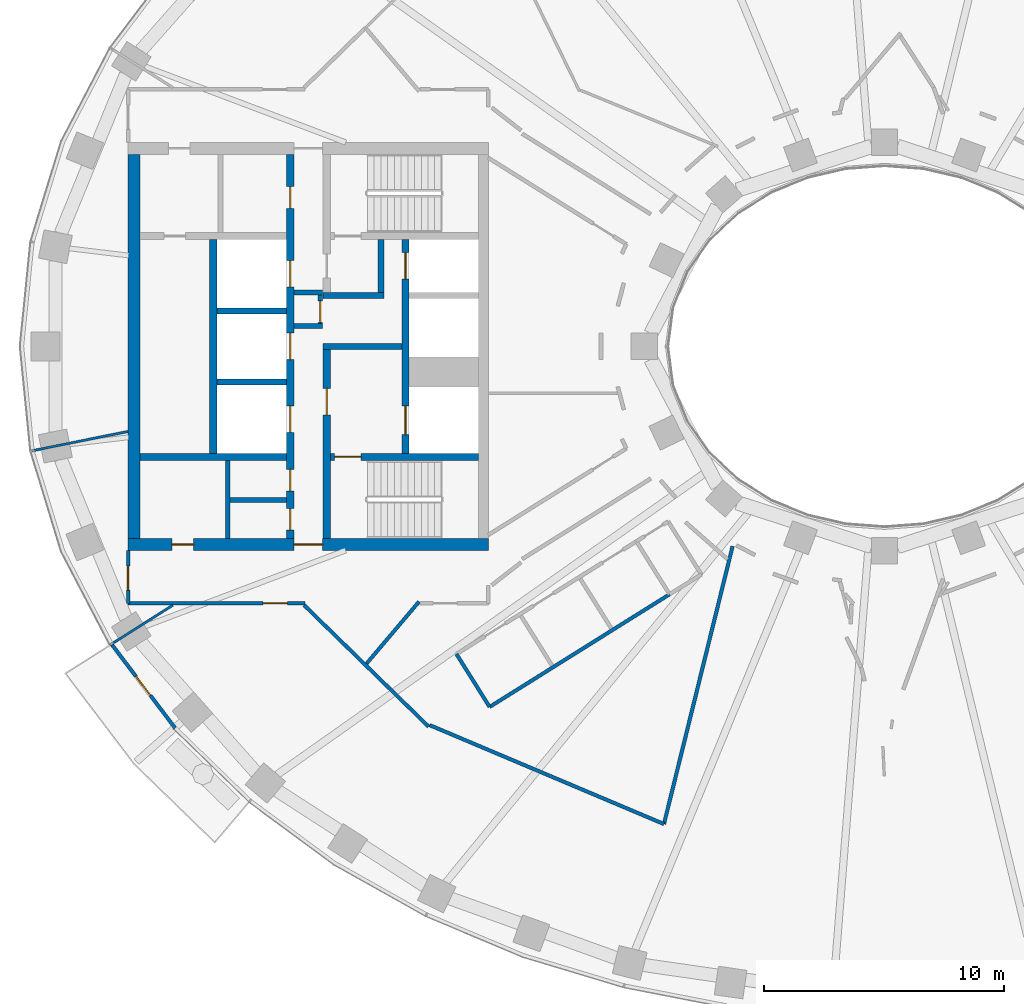
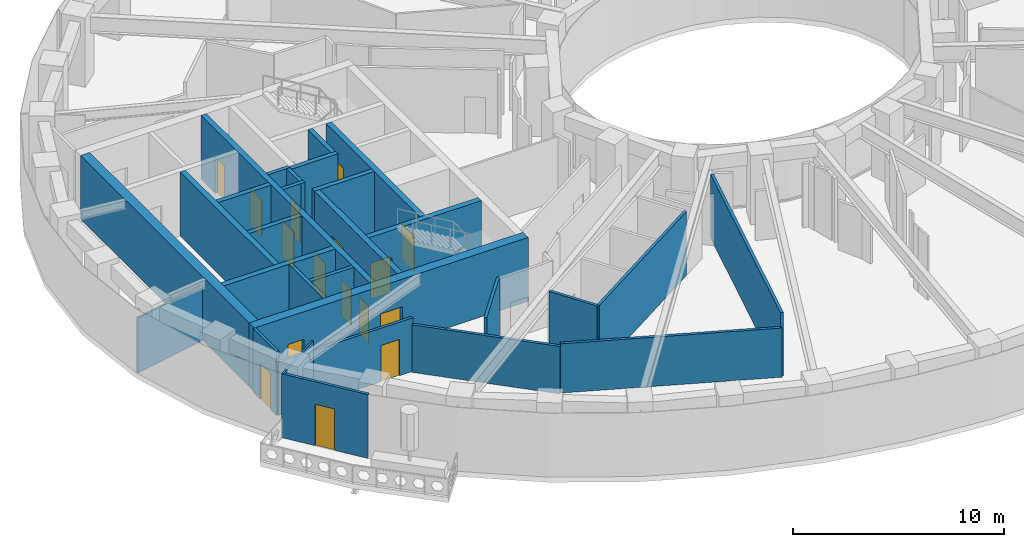
# One storey, part 3 of 16: 29 walls, 16 doors, 16 openings.
"""IFC4 building model written with IfcOpenShell, lengths in metres."""

from ifc_helpers import new_model, si_unit, direction, frame, frame_2d, origin, place, context, subcontext, project, spatial, rectangle, extrude, material, layer, layer_set, type_object, element, fill, save


model = new_model("IFC4")

# Units and contexts
model_context = context("Model", 3, precision=1e-05, world=origin(), true_north=direction((0.0, 1.0)))
body_context = subcontext(model_context, "Body", "Model", "MODEL_VIEW")
ifc_project = project(units=[si_unit("LENGTHUNIT", "METRE"), si_unit("AREAUNIT", "SQUARE_METRE"), si_unit("VOLUMEUNIT", "CUBIC_METRE"), si_unit("PLANEANGLEUNIT", "RADIAN"), si_unit("MASSUNIT", "GRAM", prefix="KILO")], contexts=[model_context])

# Site, building, storey
site_placement = place(None, origin())
site = spatial("IfcSite", under=ifc_project, at=site_placement, CompositionType="ELEMENT")
building_placement = place(site_placement, origin())
building = spatial("IfcBuilding", under=site, at=building_placement, Name="Noorbagh Ring Tower", CompositionType="ELEMENT")
storey_placement = place(building_placement, frame((0.0, 0.0, 150.0)))
storey = spatial("IfcBuildingStorey", under=building, at=storey_placement, Name="L34", CompositionType="ELEMENT", Elevation=150.0)

# Walls
ifc_material_1 = material(Name="Gypsum board on steel studs", Category="steel")
ifc_layer_1 = layer(ifc_material_1, 0.199951171875)
ifc_layer_set_1 = layer_set([ifc_layer_1], Name="Gypsum board on steel studs")
wall_type_1 = type_object("IfcWallType", Name="CORE-PARTITION-200", PredefinedType="PARTITIONING", material=ifc_layer_set_1)
for number, where, z_axis, x_axis, name in (
    (1, (-23.39990234375, 0.85009765625, 0.0), (0.0, 0.0, 1.0), (-1.0, 0.0, 0.0), "Core partition W"),
    (2, (-23.39990234375, 2.25, 0.0), (0.0, 0.0, 1.0), (-1.0, 0.0, 0.0), "Core partition W"),
):
    element("IfcWall", number, at=place(storey_placement, frame(where, z_axis=z_axis, x_axis=x_axis)), inside=storey, type_object=wall_type_1, Name=name, PredefinedType="PARTITIONING", context=body_context, shape_type="SweptSolid", body=[
        extrude(rectangle(XDim=1.2001953125, YDim=0.199951171875, at=frame_2d((0.60009765625, 0.0))), origin(), (0.0, 0.0, 1.0), 3.699951171875),
    ])

# Wall, opening, door
wall_1_placement = place(storey_placement, frame((-23.5, 0.75, 0.0), z_axis=(0.0, 0.0, 1.0), x_axis=(0.0, 1.0, 0.0)))
wall_1 = element("IfcWall", 3, at=wall_1_placement, inside=storey, type_object=wall_type_1, Name="Core partition W", PredefinedType="PARTITIONING", context=body_context, shape_type="SweptSolid", body=[
    extrude(rectangle(XDim=1.60009765625, YDim=0.199951171875, at=frame_2d((0.800048828125, 0.0))), origin(), (0.0, 0.0, 1.0), 3.699951171875),
])
opening_1_placement = place(wall_1_placement, frame((0.25, 0.0, 0.0)))
opening_1 = element("IfcOpeningElement", 4, at=opening_1_placement, cuts=wall_1, Name="Opening L34-CW17", PredefinedType="OPENING", context=body_context, shape_type="SweptSolid", body=[
    extrude(rectangle(XDim=0.89990234375, YDim=2.10009765625, at=frame_2d((0.449951171875, 1.050048828125))), frame((0.0, 0.10986328125, 0.0), z_axis=(0.0, -1.0, 0.0), x_axis=(1.0, 0.0, 0.0)), (0.0, 0.0, 1.0), 0.219970703125),
])
ifc_material_2 = material(Name="Steel door leaf", Category="steel")
door_type_1 = type_object("IfcDoorType", Name="CORE-DOOR-DROOM", OperationType="SINGLE_SWING_LEFT", PredefinedType="DOOR", material=ifc_material_2)
door_1_placement = place(opening_1_placement, origin())
door_1 = element("IfcDoor", 5, at=door_1_placement, inside=storey, type_object=door_type_1, Name="Core room door L34-CW17", OperationType="SINGLE_SWING_RIGHT", OverallHeight=2.10009765625, OverallWidth=0.89990234375, PredefinedType="DOOR", context=body_context, shape_type="SweptSolid", body=[
    extrude(rectangle(XDim=0.89990234375, YDim=2.10009765625, at=frame_2d((0.449951171875, 1.050048828125))), frame((0.0, 0.02490234375, 0.0), z_axis=(0.0, -1.0, 0.0), x_axis=(1.0, 0.0, 0.0)), (0.0, 0.0, 1.0), 0.050048828125),
])
fill(opening_1, door_1)

# Walls
wall_2_placement = place(storey_placement, frame((-27.35009765625, -8.0, 0.0), z_axis=(0.0, 0.0, 1.0), x_axis=(0.0, 1.0, 0.0)))
element("IfcWall", 6, at=wall_2_placement, inside=storey, type_object=wall_type_1, Name="Core partition W", PredefinedType="PARTITIONING", context=body_context, shape_type="SweptSolid", body=[
    extrude(rectangle(XDim=3.25, YDim=0.199951171875, at=frame_2d((1.625, 0.0))), origin(), (0.0, 0.0, 1.0), 3.699951171875),
])
wall_3_placement = place(storey_placement, frame((-24.89990234375, -6.39990234375, 0.0), z_axis=(0.0, 0.0, 1.0), x_axis=(-1.0, 0.0, 0.0)))
element("IfcWall", 7, at=wall_3_placement, inside=storey, type_object=wall_type_1, Name="Core partition W", PredefinedType="PARTITIONING", context=body_context, shape_type="SweptSolid", body=[
    extrude(rectangle(XDim=2.35009765625, YDim=0.199951171875, at=frame_2d((1.175048828125, 0.0))), origin(), (0.0, 0.0, 1.0), 3.699951171875),
])
ifc_material_3 = material(Name="Concrete C60/75", Category="concrete")
ifc_layer_2 = layer(ifc_material_3, 0.25)
ifc_layer_set_2 = layer_set([ifc_layer_2], Name="Concrete C60/75")
wall_type_2 = type_object("IfcWallType", Name="CORE-WALL-250-C60-75-EI120", PredefinedType="SHEAR", material=ifc_layer_set_2)
for number, where, z_axis, x_axis, name in (
    (8, (-24.89990234375, -1.47509765625, 0.0), (0.0, 0.0, 1.0), (-1.0, 0.0, 0.0), "Core wall W"),
    (9, (-24.89990234375, 1.47509765625, 0.0), (0.0, 0.0, 1.0), (-1.0, 0.0, 0.0), "Core wall W"),
):
    element("IfcWall", number, at=place(storey_placement, frame(where, z_axis=z_axis, x_axis=x_axis)), inside=storey, type_object=wall_type_2, Name=name, PredefinedType="SHEAR", context=body_context, shape_type="SweptSolid", body=[
        extrude(rectangle(XDim=2.900146484375, YDim=0.25, at=frame_2d((1.4501953125, 0.0))), origin(), (0.0, 0.0, 1.0), 3.699951171875),
    ])
ifc_material_4 = material(Name="Concrete C60/75", Category="concrete")
ifc_layer_3 = layer(ifc_material_4, 0.25)
ifc_layer_set_3 = layer_set([ifc_layer_3], Name="Concrete C60/75")
wall_type_3 = type_object("IfcWallType", Name="CORE-WALL-250-C60-75-EI240", PredefinedType="SHEAR", material=ifc_layer_set_3)
wall_4_placement = place(storey_placement, frame((-20.10009765625, 0.0, 0.0), z_axis=(0.0, 0.0, 1.0), x_axis=(-1.0, 0.0, 0.0)))
element("IfcWall", 10, at=wall_4_placement, inside=storey, type_object=wall_type_3, Name="Core wall W", PredefinedType="SHEAR", context=body_context, shape_type="SweptSolid", body=[
    extrude(rectangle(XDim=3.27978515625, YDim=0.25, at=frame_2d((1.639892578125, 0.0))), origin(), (0.0, 0.0, 1.0), 3.699951171875),
])
wall_5_placement = place(storey_placement, frame((-20.85009765625, 2.125, 0.0), z_axis=(0.0, 0.0, 1.0), x_axis=(-1.0, 0.0, 0.0)))
element("IfcWall", 11, at=wall_5_placement, inside=storey, type_object=wall_type_3, Name="Core wall W", PredefinedType="SHEAR", context=body_context, shape_type="SweptSolid", body=[
    extrude(rectangle(XDim=2.52978515625, YDim=0.25, at=frame_2d((1.264892578125, 0.0))), origin(), (0.0, 0.0, 1.0), 3.699951171875),
])
wall_6_placement = place(storey_placement, frame((-20.97509765625, 2.25, 0.0), z_axis=(0.0, 0.0, 1.0), x_axis=(0.0, 1.0, 0.0)))
element("IfcWall", 12, at=wall_6_placement, inside=storey, type_object=wall_type_3, Name="Core wall W", PredefinedType="SHEAR", context=body_context, shape_type="SweptSolid", body=[
    extrude(rectangle(XDim=2.199951171875, YDim=0.25, at=frame_2d((1.10009765625, 0.0))), origin(), (0.0, 0.0, 1.0), 3.699951171875),
])
ifc_material_5 = material(Name="Concrete C60/75", Category="concrete")
ifc_layer_4 = layer(ifc_material_5, 0.300048828125)
ifc_layer_set_4 = layer_set([ifc_layer_4], Name="Concrete C60/75")
wall_type_4 = type_object("IfcWallType", Name="CORE-WALL-300-C60-75-EI120", PredefinedType="SHEAR", material=ifc_layer_set_4)
wall_7_placement = place(storey_placement, frame((-27.949951171875, -4.449951171875, 0.0), z_axis=(0.0, 0.0, 1.0), x_axis=(0.0, 1.0, 0.0)))
element("IfcWall", 13, at=wall_7_placement, inside=storey, type_object=wall_type_4, Name="Core wall W", PredefinedType="SHEAR", context=body_context, shape_type="SweptSolid", body=[
    extrude(rectangle(XDim=8.89990234375, YDim=0.300048828125, at=frame_2d((4.449951171875, 0.0))), origin(), (0.0, 0.0, 1.0), 3.699951171875),
])

# Wall, openings, doors
wall_8_placement = place(storey_placement, frame((-19.949951171875, -4.449951171875, 0.0), z_axis=(0.0, 0.0, 1.0), x_axis=(0.0, 1.0, 0.0)))
wall_8 = element("IfcWall", 14, at=wall_8_placement, inside=storey, type_object=wall_type_4, Name="Core wall W", PredefinedType="SHEAR", context=body_context, shape_type="SweptSolid", body=[
    extrude(rectangle(XDim=8.89990234375, YDim=0.300048828125, at=frame_2d((4.449951171875, 0.0))), origin(), (0.0, 0.0, 1.0), 3.699951171875),
])
opening_2_placement = place(wall_8_placement, frame((0.77490234375, 0.0, 0.0)))
opening_2 = element("IfcOpeningElement", 15, at=opening_2_placement, cuts=wall_8, Name="Opening L34-CW01", PredefinedType="OPENING", context=body_context, shape_type="SweptSolid", body=[
    extrude(rectangle(XDim=1.199951171875, YDim=2.10009765625, at=frame_2d((0.60009765625, 1.050048828125))), frame((0.0, 0.16015625, 0.0), z_axis=(0.0, -1.0, 0.0), x_axis=(1.0, 0.0, 0.0)), (0.0, 0.0, 1.0), 0.320068359375),
])
opening_3_placement = place(wall_8_placement, frame((7.25, 0.0, 0.0)))
opening_3 = element("IfcOpeningElement", 16, at=opening_3_placement, cuts=wall_8, Name="Opening L34-CW02", PredefinedType="OPENING", context=body_context, shape_type="SweptSolid", body=[
    extrude(rectangle(XDim=1.10009765625, YDim=2.10009765625, at=frame_2d((0.550048828125, 1.050048828125))), frame((0.0, 0.16015625, 0.0), z_axis=(0.0, -1.0, 0.0), x_axis=(1.0, 0.0, 0.0)), (0.0, 0.0, 1.0), 0.320068359375),
])
ifc_material_6 = material(Name="Steel door leaf", Category="steel")
door_type_2 = type_object("IfcDoorType", Name="CORE-DOOR-LD", OperationType="DOUBLE_DOOR_SLIDING", PredefinedType="DOOR", material=ifc_material_6)
door_2_placement = place(opening_3_placement, origin())
door_2 = element("IfcDoor", 17, at=door_2_placement, inside=storey, type_object=door_type_2, Name="Landing door HR1 L34-CW02", OperationType="DOUBLE_DOOR_SLIDING", OverallHeight=2.10009765625, OverallWidth=1.10009765625, PredefinedType="DOOR", context=body_context, shape_type="SweptSolid", body=[
    extrude(rectangle(XDim=1.10009765625, YDim=2.10009765625, at=frame_2d((0.550048828125, 1.050048828125))), frame((0.0, 0.02490234375, 0.0), z_axis=(0.0, -1.0, 0.0), x_axis=(1.0, 0.0, 0.0)), (0.0, 0.0, 1.0), 0.050048828125),
])
fill(opening_3, door_2)
ifc_material_7 = material(Name="Steel door leaf", Category="steel")
door_type_3 = type_object("IfcDoorType", Name="CORE-DOOR-LDW", OperationType="DOUBLE_DOOR_SLIDING", PredefinedType="DOOR", material=ifc_material_7)
door_3_placement = place(opening_2_placement, origin())
door_3 = element("IfcDoor", 18, at=door_3_placement, inside=storey, type_object=door_type_3, Name="Landing door FF1 L34-CW01", OperationType="DOUBLE_DOOR_SLIDING", OverallHeight=2.10009765625, OverallWidth=1.199951171875, PredefinedType="DOOR", context=body_context, shape_type="SweptSolid", body=[
    extrude(rectangle(XDim=1.199951171875, YDim=2.10009765625, at=frame_2d((0.60009765625, 1.050048828125))), frame((0.0, 0.02490234375, 0.0), z_axis=(0.0, -1.0, 0.0), x_axis=(1.0, 0.0, 0.0)), (0.0, 0.0, 1.0), 0.050048828125),
])
fill(opening_2, door_3)

wall_9_placement = place(storey_placement, frame((-24.75, -8.0, 0.0), z_axis=(0.0, 0.0, 1.0), x_axis=(0.0, 1.0, 0.0)))
wall_9 = element("IfcWall", 19, at=wall_9_placement, inside=storey, type_object=wall_type_4, Name="Core wall W", PredefinedType="SHEAR", context=body_context, shape_type="SweptSolid", body=[
    extrude(rectangle(XDim=16.0, YDim=0.300048828125, at=frame_2d((8.0, 0.0))), origin(), (0.0, 0.0, 1.0), 3.699951171875),
])
opening_4_placement = place(wall_9_placement, frame((4.425048828125, 0.0, 0.0)))
opening_4 = element("IfcOpeningElement", 20, at=opening_4_placement, cuts=wall_9, Name="Opening L34-CW03", PredefinedType="OPENING", context=body_context, shape_type="SweptSolid", body=[
    extrude(rectangle(XDim=1.10009765625, YDim=2.10009765625, at=frame_2d((0.550048828125, 1.050048828125))), frame((0.0, 0.16015625, 0.0), z_axis=(0.0, -1.0, 0.0), x_axis=(1.0, 0.0, 0.0)), (0.0, 0.0, 1.0), 0.320068359375),
])
opening_5_placement = place(wall_9_placement, frame((7.449951171875, 0.0, 0.0)))
opening_5 = element("IfcOpeningElement", 21, at=opening_5_placement, cuts=wall_9, Name="Opening L34-CW04", PredefinedType="OPENING", context=body_context, shape_type="SweptSolid", body=[
    extrude(rectangle(XDim=1.10009765625, YDim=2.10009765625, at=frame_2d((0.550048828125, 1.050048828125))), frame((0.0, 0.16015625, 0.0), z_axis=(0.0, -1.0, 0.0), x_axis=(1.0, 0.0, 0.0)), (0.0, 0.0, 1.0), 0.320068359375),
])
opening_6_placement = place(wall_9_placement, frame((10.47509765625, 0.0, 0.0)))
opening_6 = element("IfcOpeningElement", 22, at=opening_6_placement, cuts=wall_9, Name="Opening L34-CW05", PredefinedType="OPENING", context=body_context, shape_type="SweptSolid", body=[
    extrude(rectangle(XDim=1.10009765625, YDim=2.10009765625, at=frame_2d((0.550048828125, 1.050048828125))), frame((0.0, 0.16015625, 0.0), z_axis=(0.0, -1.0, 0.0), x_axis=(1.0, 0.0, 0.0)), (0.0, 0.0, 1.0), 0.320068359375),
])
opening_7_placement = place(wall_9_placement, frame((13.75, 0.0, 0.0)))
opening_7 = element("IfcOpeningElement", 23, at=opening_7_placement, cuts=wall_9, Name="Opening L34-CW12", PredefinedType="OPENING", context=body_context, shape_type="SweptSolid", body=[
    extrude(rectangle(XDim=0.89990234375, YDim=2.10009765625, at=frame_2d((0.449951171875, 1.050048828125))), frame((0.0, 0.16015625, 0.0), z_axis=(0.0, -1.0, 0.0), x_axis=(1.0, 0.0, 0.0)), (0.0, 0.0, 1.0), 0.320068359375),
])
opening_8_placement = place(wall_9_placement, frame((1.97509765625, 0.0, 0.0)))
opening_8 = element("IfcOpeningElement", 24, at=opening_8_placement, cuts=wall_9, Name="Opening L34-CW14", PredefinedType="OPENING", context=body_context, shape_type="SweptSolid", body=[
    extrude(rectangle(XDim=0.89990234375, YDim=2.10009765625, at=frame_2d((0.449951171875, 1.050048828125))), frame((0.0, 0.16015625, 0.0), z_axis=(0.0, -1.0, 0.0), x_axis=(1.0, 0.0, 0.0)), (0.0, 0.0, 1.0), 0.320068359375),
])
opening_9_placement = place(wall_9_placement, frame((0.35009765625, 0.0, 0.0)))
opening_9 = element("IfcOpeningElement", 25, at=opening_9_placement, cuts=wall_9, Name="Opening L34-CW15", PredefinedType="OPENING", context=body_context, shape_type="SweptSolid", body=[
    extrude(rectangle(XDim=0.89990234375, YDim=2.10009765625, at=frame_2d((0.449951171875, 1.050048828125))), frame((0.0, 0.16015625, 0.0), z_axis=(0.0, -1.0, 0.0), x_axis=(1.0, 0.0, 0.0)), (0.0, 0.0, 1.0), 0.320068359375),
])
door_4_placement = place(opening_7_placement, origin())
door_4 = element("IfcDoor", 26, at=door_4_placement, inside=storey, type_object=door_type_1, Name="Core room door L34-CW12", OperationType="SINGLE_SWING_RIGHT", OverallHeight=2.10009765625, OverallWidth=0.89990234375, PredefinedType="DOOR", context=body_context, shape_type="SweptSolid", body=[
    extrude(rectangle(XDim=0.89990234375, YDim=2.10009765625, at=frame_2d((0.449951171875, 1.050048828125))), frame((0.0, 0.02490234375, 0.0), z_axis=(0.0, -1.0, 0.0), x_axis=(1.0, 0.0, 0.0)), (0.0, 0.0, 1.0), 0.050048828125),
])
fill(opening_7, door_4)
door_5_placement = place(opening_8_placement, origin())
door_5 = element("IfcDoor", 27, at=door_5_placement, inside=storey, type_object=door_type_1, Name="Core room door L34-CW14", OperationType="SINGLE_SWING_RIGHT", OverallHeight=2.10009765625, OverallWidth=0.89990234375, PredefinedType="DOOR", context=body_context, shape_type="SweptSolid", body=[
    extrude(rectangle(XDim=0.89990234375, YDim=2.10009765625, at=frame_2d((0.449951171875, 1.050048828125))), frame((0.0, 0.02490234375, 0.0), z_axis=(0.0, -1.0, 0.0), x_axis=(1.0, 0.0, 0.0)), (0.0, 0.0, 1.0), 0.050048828125),
])
fill(opening_8, door_5)
door_6_placement = place(opening_9_placement, origin())
door_6 = element("IfcDoor", 28, at=door_6_placement, inside=storey, type_object=door_type_1, Name="Core room door L34-CW15", OperationType="SINGLE_SWING_LEFT", OverallHeight=2.10009765625, OverallWidth=0.89990234375, PredefinedType="DOOR", context=body_context, shape_type="SweptSolid", body=[
    extrude(rectangle(XDim=0.89990234375, YDim=2.10009765625, at=frame_2d((0.449951171875, 1.050048828125))), frame((0.0, 0.02490234375, 0.0), z_axis=(0.0, -1.0, 0.0), x_axis=(1.0, 0.0, 0.0)), (0.0, 0.0, 1.0), 0.050048828125),
])
fill(opening_9, door_6)
door_7_placement = place(opening_4_placement, origin())
door_7 = element("IfcDoor", 29, at=door_7_placement, inside=storey, type_object=door_type_2, Name="Landing door HR2 L34-CW03", OperationType="DOUBLE_DOOR_SLIDING", OverallHeight=2.10009765625, OverallWidth=1.10009765625, PredefinedType="DOOR", context=body_context, shape_type="SweptSolid", body=[
    extrude(rectangle(XDim=1.10009765625, YDim=2.10009765625, at=frame_2d((0.550048828125, 1.050048828125))), frame((0.0, 0.02490234375, 0.0), z_axis=(0.0, -1.0, 0.0), x_axis=(1.0, 0.0, 0.0)), (0.0, 0.0, 1.0), 0.050048828125),
])
fill(opening_4, door_7)
door_8_placement = place(opening_5_placement, origin())
door_8 = element("IfcDoor", 30, at=door_8_placement, inside=storey, type_object=door_type_2, Name="Landing door HR3 L34-CW04", OperationType="DOUBLE_DOOR_SLIDING", OverallHeight=2.10009765625, OverallWidth=1.10009765625, PredefinedType="DOOR", context=body_context, shape_type="SweptSolid", body=[
    extrude(rectangle(XDim=1.10009765625, YDim=2.10009765625, at=frame_2d((0.550048828125, 1.050048828125))), frame((0.0, 0.02490234375, 0.0), z_axis=(0.0, -1.0, 0.0), x_axis=(1.0, 0.0, 0.0)), (0.0, 0.0, 1.0), 0.050048828125),
])
fill(opening_5, door_8)
door_9_placement = place(opening_6_placement, origin())
door_9 = element("IfcDoor", 31, at=door_9_placement, inside=storey, type_object=door_type_2, Name="Landing door HR4 L34-CW05", OperationType="DOUBLE_DOOR_SLIDING", OverallHeight=2.10009765625, OverallWidth=1.10009765625, PredefinedType="DOOR", context=body_context, shape_type="SweptSolid", body=[
    extrude(rectangle(XDim=1.10009765625, YDim=2.10009765625, at=frame_2d((0.550048828125, 1.050048828125))), frame((0.0, 0.02490234375, 0.0), z_axis=(0.0, -1.0, 0.0), x_axis=(1.0, 0.0, 0.0)), (0.0, 0.0, 1.0), 0.050048828125),
])
fill(opening_6, door_9)

# Wall
ifc_material_8 = material(Name="Concrete C60/75", Category="concrete")
ifc_layer_5 = layer(ifc_material_8, 0.300048828125)
ifc_layer_set_5 = layer_set([ifc_layer_5], Name="Concrete C60/75")
wall_type_5 = type_object("IfcWallType", Name="CORE-WALL-300-C60-75-EI240", PredefinedType="SHEAR", material=ifc_layer_set_5)
wall_10_placement = place(storey_placement, frame((-24.89990234375, -4.60009765625, 0.0), z_axis=(0.0, 0.0, 1.0), x_axis=(-1.0, 0.0, 0.0)))
element("IfcWall", 32, at=wall_10_placement, inside=storey, type_object=wall_type_5, Name="Core wall W", PredefinedType="SHEAR", context=body_context, shape_type="SweptSolid", body=[
    extrude(rectangle(XDim=6.10009765625, YDim=0.300048828125, at=frame_2d((3.050048828125, 0.0))), origin(), (0.0, 0.0, 1.0), 3.699951171875),
])

# Wall, opening, door
wall_11_placement = place(storey_placement, frame((-23.22998046875, -8.0, 0.0), z_axis=(0.0, 0.0, 1.0), x_axis=(0.0, 1.0, 0.0)))
wall_11 = element("IfcWall", 33, at=wall_11_placement, inside=storey, type_object=wall_type_5, Name="Core wall W", PredefinedType="SHEAR", context=body_context, shape_type="SweptSolid", body=[
    extrude(rectangle(XDim=7.875, YDim=0.300048828125, at=frame_2d((3.9375, 0.0))), origin(), (0.0, 0.0, 1.0), 3.699951171875),
])
opening_10_placement = place(wall_11_placement, frame((5.14990234375, 0.0, 0.0)))
opening_10 = element("IfcOpeningElement", 34, at=opening_10_placement, cuts=wall_11, Name="Opening L34-CW08", PredefinedType="OPENING", context=body_context, shape_type="SweptSolid", body=[
    extrude(rectangle(XDim=1.10009765625, YDim=2.10009765625, at=frame_2d((0.550048828125, 1.050048828125))), frame((0.0, 0.16015625, 0.0), z_axis=(0.0, -1.0, 0.0), x_axis=(1.0, 0.0, 0.0)), (0.0, 0.0, 1.0), 0.320068359375),
])
ifc_material_9 = material(Name="Steel door leaf", Category="steel")
door_type_4 = type_object("IfcDoorType", Name="CORE-DOOR-DFF", OperationType="SINGLE_SWING_LEFT", PredefinedType="DOOR", material=ifc_material_9)
door_10_placement = place(opening_10_placement, origin())
door_10 = element("IfcDoor", 35, at=door_10_placement, inside=storey, type_object=door_type_4, Name="Firefighting lobby door L34-CW08", OperationType="SINGLE_SWING_LEFT", OverallHeight=2.10009765625, OverallWidth=1.10009765625, PredefinedType="DOOR", context=body_context, shape_type="SweptSolid", body=[
    extrude(rectangle(XDim=1.10009765625, YDim=2.10009765625, at=frame_2d((0.550048828125, 1.050048828125))), frame((0.0, 0.02490234375, 0.0), z_axis=(0.0, -1.0, 0.0), x_axis=(1.0, 0.0, 0.0)), (0.0, 0.0, 1.0), 0.050048828125),
])
fill(opening_10, door_10)

wall_12_placement = place(storey_placement, frame((-16.89990234375, -4.60009765625, 0.0), z_axis=(0.0, 0.0, 1.0), x_axis=(-1.0, 0.0, 0.0)))
wall_12 = element("IfcWall", 36, at=wall_12_placement, inside=storey, type_object=wall_type_5, Name="Core wall W", PredefinedType="SHEAR", context=body_context, shape_type="SweptSolid", body=[
    extrude(rectangle(XDim=6.18017578125, YDim=0.300048828125, at=frame_2d((3.090087890625, 0.0))), origin(), (0.0, 0.0, 1.0), 3.699951171875),
])
opening_11_placement = place(wall_12_placement, frame((4.89990234375, 0.0, 0.0)))
opening_11 = element("IfcOpeningElement", 37, at=opening_11_placement, cuts=wall_12, Name="Opening L34-CW07", PredefinedType="OPENING", context=body_context, shape_type="SweptSolid", body=[
    extrude(rectangle(XDim=1.10009765625, YDim=2.10009765625, at=frame_2d((0.550048828125, 1.050048828125))), frame((0.0, 0.16015625, 0.0), z_axis=(0.0, -1.0, 0.0), x_axis=(1.0, 0.0, 0.0)), (0.0, 0.0, 1.0), 0.320068359375),
])
ifc_material_10 = material(Name="Steel door leaf", Category="steel")
door_type_5 = type_object("IfcDoorType", Name="CORE-DOOR-DSTAIR", OperationType="SINGLE_SWING_LEFT", PredefinedType="DOOR", material=ifc_material_10)
door_11_placement = place(opening_11_placement, origin())
door_11 = element("IfcDoor", 38, at=door_11_placement, inside=storey, type_object=door_type_5, Name="Stair door ST2 L34-CW07", OperationType="SINGLE_SWING_LEFT", OverallHeight=2.10009765625, OverallWidth=1.10009765625, PredefinedType="DOOR", context=body_context, shape_type="SweptSolid", body=[
    extrude(rectangle(XDim=1.10009765625, YDim=2.10009765625, at=frame_2d((0.550048828125, 1.050048828125))), frame((0.0, 0.02490234375, 0.0), z_axis=(0.0, -1.0, 0.0), x_axis=(1.0, 0.0, 0.0)), (0.0, 0.0, 1.0), 0.050048828125),
])
fill(opening_11, door_11)

# Wall, openings, doors
ifc_material_11 = material(Name="Concrete C60/75", Category="concrete")
ifc_layer_6 = layer(ifc_material_11, 0.5)
ifc_layer_set_6 = layer_set([ifc_layer_6], Name="Concrete C60/75")
wall_type_6 = type_object("IfcWallType", Name="CORE-WALL-500-C60-75-EI240", PredefinedType="SHEAR", material=ifc_layer_set_6)
wall_13_placement = place(storey_placement, frame((-16.5, -8.25, 0.0), z_axis=(0.0, 0.0, 1.0), x_axis=(-1.0, 0.0, 0.0)))
wall_13 = element("IfcWall", 39, at=wall_13_placement, inside=storey, type_object=wall_type_6, Name="Core wall W", PredefinedType="SHEAR", context=body_context, shape_type="SweptSolid", body=[
    extrude(rectangle(XDim=15.0, YDim=0.5, at=frame_2d((7.5, 0.0))), origin(), (0.0, 0.0, 1.0), 3.699951171875),
])
opening_12_placement = place(wall_13_placement, frame((6.89990234375, 0.0, 0.0)))
opening_12 = element("IfcOpeningElement", 40, at=opening_12_placement, cuts=wall_13, Name="Opening L34-CW11", PredefinedType="OPENING", context=body_context, shape_type="SweptSolid", body=[
    extrude(rectangle(XDim=1.199951171875, YDim=2.10009765625, at=frame_2d((0.60009765625, 1.050048828125))), frame((0.0, 0.260009765625, 0.0), z_axis=(0.0, -1.0, 0.0), x_axis=(1.0, 0.0, 0.0)), (0.0, 0.0, 1.0), 0.52001953125),
])
opening_13_placement = place(wall_13_placement, frame((12.27490234375, 0.0, 0.0)))
opening_13 = element("IfcOpeningElement", 41, at=opening_13_placement, cuts=wall_13, Name="Opening L34-CW16", PredefinedType="OPENING", context=body_context, shape_type="SweptSolid", body=[
    extrude(rectangle(XDim=0.89990234375, YDim=2.10009765625, at=frame_2d((0.449951171875, 1.050048828125))), frame((0.0, 0.260009765625, 0.0), z_axis=(0.0, -1.0, 0.0), x_axis=(1.0, 0.0, 0.0)), (0.0, 0.0, 1.0), 0.52001953125),
])
door_12_placement = place(opening_13_placement, origin())
door_12 = element("IfcDoor", 42, at=door_12_placement, inside=storey, type_object=door_type_1, Name="Core room door L34-CW16", OperationType="SINGLE_SWING_LEFT", OverallHeight=2.10009765625, OverallWidth=0.89990234375, PredefinedType="DOOR", context=body_context, shape_type="SweptSolid", body=[
    extrude(rectangle(XDim=0.89990234375, YDim=2.10009765625, at=frame_2d((0.449951171875, 1.050048828125))), frame((0.0, 0.02490234375, 0.0), z_axis=(0.0, -1.0, 0.0), x_axis=(1.0, 0.0, 0.0)), (0.0, 0.0, 1.0), 0.050048828125),
])
fill(opening_13, door_12)
ifc_material_12 = material(Name="Steel door leaf", Category="steel")
door_type_6 = type_object("IfcDoorType", Name="CORE-DOOR-PORT", OperationType="DOUBLE_DOOR_DOUBLE_SWING", PredefinedType="DOOR", material=ifc_material_12)
door_13_placement = place(opening_12_placement, origin())
door_13 = element("IfcDoor", 43, at=door_13_placement, inside=storey, type_object=door_type_6, Name="Core entrance door L34-CW11", OperationType="DOUBLE_DOOR_DOUBLE_SWING", OverallHeight=2.10009765625, OverallWidth=1.199951171875, PredefinedType="DOOR", context=body_context, shape_type="SweptSolid", body=[
    extrude(rectangle(XDim=1.199951171875, YDim=2.10009765625, at=frame_2d((0.60009765625, 1.050048828125))), frame((0.0, 0.02490234375, 0.0), z_axis=(0.0, -1.0, 0.0), x_axis=(1.0, 0.0, 0.0)), (0.0, 0.0, 1.0), 0.050048828125),
])
fill(opening_12, door_13)

# Wall
wall_14_placement = place(storey_placement, frame((-31.25, -8.0, 0.0), z_axis=(0.0, 0.0, 1.0), x_axis=(0.0, 1.0, 0.0)))
element("IfcWall", 44, at=wall_14_placement, inside=storey, type_object=wall_type_6, Name="Core wall W", PredefinedType="SHEAR", context=body_context, shape_type="SweptSolid", body=[
    extrude(rectangle(XDim=16.0, YDim=0.5, at=frame_2d((8.0, 0.0))), origin(), (0.0, 0.0, 1.0), 3.699951171875),
])

# Wall, opening, door
ifc_material_13 = material(Name="Gypsum board on steel studs", Category="steel")
ifc_layer_7 = layer(ifc_material_13, 0.14990234375)
ifc_layer_set_7 = layer_set([ifc_layer_7], Name="Gypsum board on steel studs")
wall_type_7 = type_object("IfcWallType", Name="CORRIDOR PARTITION 150 EI 30", PredefinedType="PARTITIONING", material=ifc_layer_set_7)
wall_15_placement = place(storey_placement, frame((-31.5, -10.699951171875, 0.0), z_axis=(0.0, 0.0, 1.0), x_axis=(0.0, 1.0, 0.0)))
wall_15 = element("IfcWall", 45, at=wall_15_placement, inside=storey, type_object=wall_type_7, Name="L34/wall/P04", PredefinedType="PARTITIONING", context=body_context, shape_type="SweptSolid", body=[
    extrude(rectangle(XDim=2.199951171875, YDim=0.14990234375, at=frame_2d((1.10009765625, 0.0))), origin(), (0.0, 0.0, 1.0), 3.699951171875),
])
opening_14_placement = place(wall_15_placement, frame((0.550048828125, 0.0, 0.0)))
opening_14 = element("IfcOpeningElement", 46, at=opening_14_placement, cuts=wall_15, Name="Opening D1", PredefinedType="OPENING", context=body_context, shape_type="SweptSolid", body=[
    extrude(rectangle(XDim=1.0, YDim=2.10009765625, at=frame_2d((0.5, 1.050048828125))), frame((0.0, 0.0849609375, 0.0), z_axis=(0.0, -1.0, 0.0), x_axis=(1.0, 0.0, 0.0)), (0.0, 0.0, 1.0), 0.169921875),
])
ifc_material_14 = material(Name="Timber, painted", Category="wood")
door_type_7 = type_object("IfcDoorType", Name="DOOR 1000 X 2100 FD30", OperationType="SINGLE_SWING_LEFT", PredefinedType="DOOR", material=ifc_material_14)
door_14_placement = place(opening_14_placement, origin())
door_14 = element("IfcDoor", 47, at=door_14_placement, inside=storey, type_object=door_type_7, Name="L34-D06", OperationType="SINGLE_SWING_RIGHT", OverallHeight=2.10009765625, OverallWidth=1.0, PredefinedType="DOOR", context=body_context, shape_type="SweptSolid", body=[
    extrude(rectangle(XDim=1.0, YDim=2.10009765625, at=frame_2d((0.5, 1.050048828125))), frame((0.0, 0.02490234375, 0.0), z_axis=(0.0, -1.0, 0.0), x_axis=(1.0, 0.0, 0.0)), (0.0, 0.0, 1.0), 0.050048828125),
])
fill(opening_14, door_14)

wall_16_placement = place(storey_placement, frame((-31.5, -10.699951171875, 0.0), z_axis=(0.0, 0.0, 1.0), x_axis=(1.0, 0.0, 0.0)))
wall_16 = element("IfcWall", 48, at=wall_16_placement, inside=storey, type_object=wall_type_7, Name="L34/wall/P05", PredefinedType="PARTITIONING", context=body_context, shape_type="SweptSolid", body=[
    extrude(rectangle(XDim=7.361083984375, YDim=0.14990234375, at=frame_2d((3.6806640625, 0.0))), origin(), (0.0, 0.0, 1.0), 3.10009765625),
])
opening_15_placement = place(wall_16_placement, frame((5.62890625, 0.0, 0.0)))
opening_15 = element("IfcOpeningElement", 49, at=opening_15_placement, cuts=wall_16, Name="Opening D1", PredefinedType="OPENING", context=body_context, shape_type="SweptSolid", body=[
    extrude(rectangle(XDim=1.0, YDim=2.10009765625, at=frame_2d((0.5, 1.050048828125))), frame((0.0, 0.0849609375, 0.0), z_axis=(0.0, -1.0, 0.0), x_axis=(1.0, 0.0, 0.0)), (0.0, 0.0, 1.0), 0.169921875),
])
door_15_placement = place(opening_15_placement, origin())
door_15 = element("IfcDoor", 50, at=door_15_placement, inside=storey, type_object=door_type_7, Name="L34-D08", OperationType="SINGLE_SWING_RIGHT", OverallHeight=2.10009765625, OverallWidth=1.0, PredefinedType="DOOR", context=body_context, shape_type="SweptSolid", body=[
    extrude(rectangle(XDim=1.0, YDim=2.10009765625, at=frame_2d((0.5, 1.050048828125))), frame((0.0, 0.02490234375, 0.0), z_axis=(0.0, -1.0, 0.0), x_axis=(1.0, 0.0, 0.0)), (0.0, 0.0, 1.0), 0.050048828125),
])
fill(opening_15, door_15)

# Walls
wall_17_placement = place(storey_placement, frame((-24.166015625, -10.778076171875, 0.0), z_axis=(0.0, 0.0, 1.0), x_axis=(0.715834142481, -0.698270349119, 0.0)))
element("IfcWall", 51, at=wall_17_placement, inside=storey, type_object=wall_type_7, Name="L34/wall/P08", PredefinedType="PARTITIONING", context=body_context, shape_type="SweptSolid", body=[
    extrude(rectangle(XDim=7.241943359375, YDim=0.14990234375, at=frame_2d((3.62109375, 0.0))), origin(), (0.0, 0.0, 1.0), 2.75),
])
wall_18_placement = place(storey_placement, frame((-21.568115234375, -13.20703125, 0.0), z_axis=(0.0, 0.0, 1.0), x_axis=(0.646414818584, 0.762986161287, 0.0)))
element("IfcWall", 52, at=wall_18_placement, inside=storey, type_object=wall_type_7, Name="L34/wall/P11", PredefinedType="PARTITIONING", context=body_context, shape_type="SweptSolid", body=[
    extrude(rectangle(XDim=3.38037109375, YDim=0.14990234375, at=frame_2d((1.690185546875, 0.0))), origin(), (0.0, 0.0, 1.0), 3.699951171875),
])
wall_19_placement = place(storey_placement, frame((-18.93994140625, -15.77099609375, 0.0), z_axis=(0.0, 0.0, 1.0), x_axis=(0.921243869672, -0.3889855172, 0.0)))
element("IfcWall", 53, at=wall_19_placement, inside=storey, type_object=wall_type_7, Name="L34/wall/P15", PredefinedType="PARTITIONING", context=body_context, shape_type="SweptSolid", body=[
    extrude(rectangle(XDim=10.5888671875, YDim=0.14990234375, at=frame_2d((5.29443359375, 0.0))), origin(), (0.0, 0.0, 1.0), 2.85009765625),
])
wall_20_placement = place(storey_placement, frame((-17.824951171875, -12.81005859375, 0.0), z_axis=(0.0, 0.0, 1.0), x_axis=(0.530649529914, -0.847591338088, 0.0)))
element("IfcWall", 54, at=wall_20_placement, inside=storey, type_object=wall_type_7, Name="L34/wall/P17", PredefinedType="PARTITIONING", context=body_context, shape_type="SweptSolid", body=[
    extrude(rectangle(XDim=2.5966796875, YDim=0.14990234375, at=frame_2d((1.29833984375, 0.0))), origin(), (0.0, 0.0, 1.0), 3.699951171875),
])
wall_21_placement = place(storey_placement, frame((-16.445068359375, -15.013916015625, 0.0), z_axis=(0.0, 0.0, 1.0), x_axis=(0.847607097418, 0.530624357155, 0.0)))
element("IfcWall", 55, at=wall_21_placement, inside=storey, type_object=wall_type_7, Name="L34/wall/P22", PredefinedType="PARTITIONING", context=body_context, shape_type="SweptSolid", body=[
    extrude(rectangle(XDim=8.84033203125, YDim=0.14990234375, at=frame_2d((4.420166015625, 0.0))), origin(), (0.0, 0.0, 1.0), 3.699951171875),
])
wall_22_placement = place(storey_placement, frame((-9.18505859375, -19.889892578125, 0.0), z_axis=(0.0, 0.0, 1.0), x_axis=(0.239863913553, 0.970806521906, 0.0)))
element("IfcWall", 56, at=wall_22_placement, inside=storey, type_object=wall_type_7, Name="L34/wall/P40", PredefinedType="PARTITIONING", context=body_context, shape_type="SweptSolid", body=[
    extrude(rectangle(XDim=11.915771484375, YDim=0.14990234375, at=frame_2d((5.9580078125, 0.0))), origin(), (0.0, 0.0, 1.0), 3.699951171875),
])

# Wall, opening, door
ifc_material_15 = material(Name="Insulated aluminium clad panel", Category="aluminium")
ifc_layer_8 = layer(ifc_material_15, 0.14990234375)
ifc_layer_set_8 = layer_set([ifc_layer_8], Name="Insulated aluminium clad panel")
wall_type_8 = type_object("IfcWallType", Name="ENV-WALL-DOOR", PredefinedType="STANDARD", material=ifc_layer_set_8)
wall_23_placement = place(storey_placement, frame((-32.20751953125, -12.37353515625, 0.0), z_axis=(0.0, 0.0, 1.0), x_axis=(0.604045763106, -0.796949632081, 0.0)))
wall_23 = element("IfcWall", 57, at=wall_23_placement, inside=storey, type_object=wall_type_8, Name="Balcony door wall chord 27", PredefinedType="STANDARD", context=body_context, shape_type="SweptSolid", body=[
    extrude(rectangle(XDim=4.42333984375, YDim=0.14990234375, at=frame_2d((2.211669921875, 0.0))), origin(), (0.0, 0.0, 1.0), 3.699951171875),
])
opening_16_placement = place(wall_23_placement, frame((1.711669921875, 0.0, 0.0)))
opening_16 = element("IfcOpeningElement", 58, at=opening_16_placement, cuts=wall_23, Name="Opening D-BL", PredefinedType="OPENING", context=body_context, shape_type="SweptSolid", body=[
    extrude(rectangle(XDim=1.0, YDim=2.39990234375, at=frame_2d((0.5, 1.199951171875))), frame((0.0, 0.0849609375, 0.0), z_axis=(0.0, -1.0, 0.0), x_axis=(1.0, 0.0, 0.0)), (0.0, 0.0, 1.0), 0.169921875),
])
ifc_material_16 = material(Name="Aluminium and glass", Category="aluminium")
door_type_8 = type_object("IfcDoorType", Name="ENV-DOOR-BALCONY", OperationType="SINGLE_SWING_LEFT", PredefinedType="DOOR", material=ifc_material_16)
door_16_placement = place(opening_16_placement, origin())
door_16 = element("IfcDoor", 59, at=door_16_placement, inside=storey, type_object=door_type_8, Name="Balcony door chord 27", OperationType="SINGLE_SWING_LEFT", OverallHeight=2.39990234375, OverallWidth=1.0, PredefinedType="DOOR", context=body_context, shape_type="SweptSolid", body=[
    extrude(rectangle(XDim=1.0, YDim=2.39990234375, at=frame_2d((0.5, 1.199951171875))), frame((0.0, 0.02490234375, 0.0), z_axis=(0.0, -1.0, 0.0), x_axis=(1.0, 0.0, 0.0)), (0.0, 0.0, 1.0), 0.050048828125),
])
fill(opening_16, door_16)

# Walls
ifc_material_17 = material(Name="Gypsum board on steel studs", Category="steel")
ifc_layer_9 = layer(ifc_material_17, 0.10009765625)
ifc_layer_set_9 = layer_set([ifc_layer_9], Name="Gypsum board on steel studs")
wall_type_9 = type_object("IfcWallType", Name="PARTITION 100 GYPSUM", PredefinedType="PARTITIONING", material=ifc_layer_set_9)
wall_24_placement = place(storey_placement, frame((-35.511962890625, -4.34912109375, 0.0), z_axis=(0.0, 0.0, 1.0), x_axis=(0.980357474535, 0.197228857227, 0.0)))
element("IfcWall", 60, at=wall_24_placement, inside=storey, type_object=wall_type_9, Name="L34/wall/P01", PredefinedType="PARTITIONING", context=body_context, shape_type="SweptSolid", body=[
    extrude(rectangle(XDim=4.09228515625, YDim=0.10009765625, at=frame_2d((2.046142578125, 0.0))), origin(), (0.0, 0.0, 1.0), 3.199951171875),
])
wall_25_placement = place(storey_placement, frame((-32.2119140625, -12.407958984375, 0.0), z_axis=(0.0, 0.0, 1.0), x_axis=(0.844810627195, 0.535065420467, 0.0)))
element("IfcWall", 61, at=wall_25_placement, inside=storey, type_object=wall_type_9, Name="L34/wall/P02", PredefinedType="PARTITIONING", context=body_context, shape_type="SweptSolid", body=[
    extrude(rectangle(XDim=3.0478515625, YDim=0.10009765625, at=frame_2d((1.52392578125, 0.0))), origin(), (0.0, 0.0, 1.0), 3.699951171875),
])

save(model, "model.ifc")
